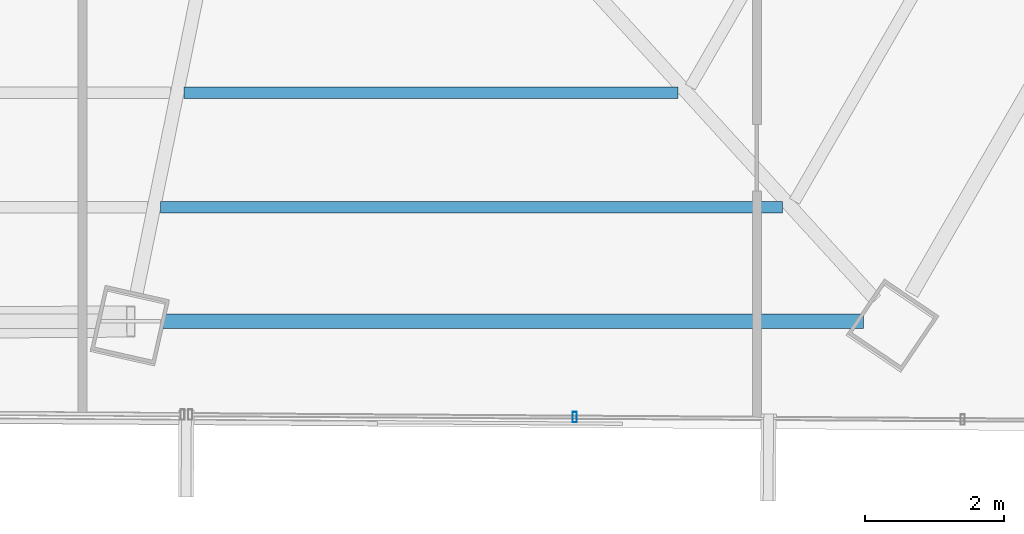
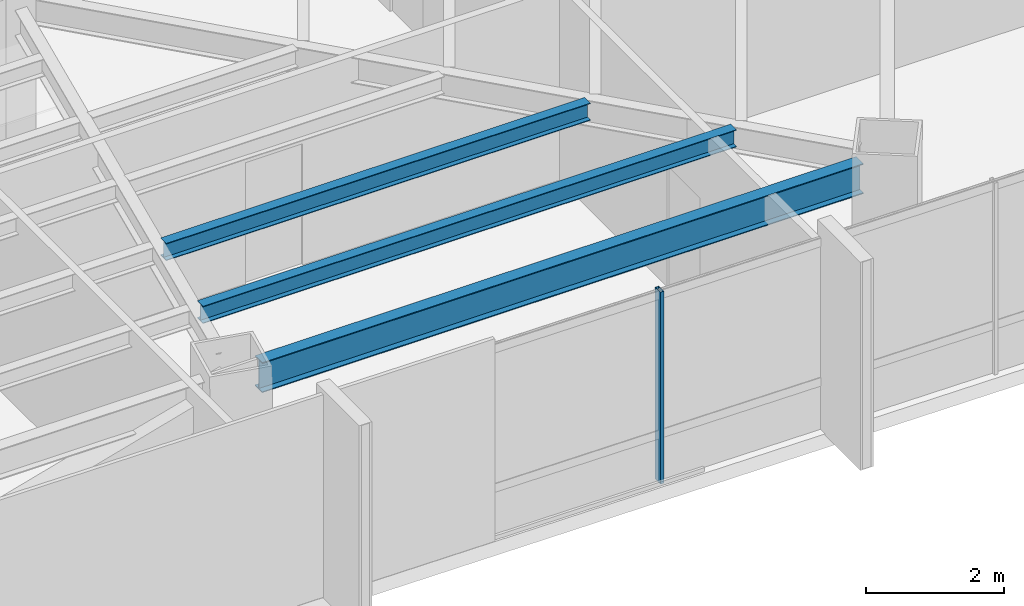
# One storey, part 17 of 41: 3 beams, 1 member, 1 element without a shape of its own.
"""IFC4 building model written with IfcOpenShell, lengths in metres."""

from ifc_helpers import new_model, si_unit, direction, frame, origin, origin_2d, place, context, subcontext, project, spatial, hollow_rectangle, i_section, extrude, source, transform, mapped, material, material_profile, profile_set, type_object, type_shapes, element, aggregate, save


model = new_model("IFC4")

# Units and contexts
model_context = context("Model", 3, precision=1e-05, world=origin(), true_north=direction((0.0, 1.0)))
body_context = subcontext(model_context, "Body", "Model", "MODEL_VIEW")
ifc_project = project(units=[si_unit("LENGTHUNIT", "METRE"), si_unit("AREAUNIT", "SQUARE_METRE"), si_unit("VOLUMEUNIT", "CUBIC_METRE"), si_unit("PLANEANGLEUNIT", "RADIAN"), si_unit("MASSUNIT", "GRAM", prefix="KILO")], contexts=[model_context])

# Site, building, storey
site_placement = place(None, origin())
site = spatial("IfcSite", under=ifc_project, at=site_placement, CompositionType="ELEMENT")
building_placement = place(site_placement, origin())
building = spatial("IfcBuilding", under=site, at=building_placement, Name="Caelisora Broadcast Tower", CompositionType="ELEMENT")
storey_placement = place(building_placement, frame((0.0, 0.0, 162.14990234375)))
storey = spatial("IfcBuildingStorey", under=building, at=storey_placement, Name="L42", CompositionType="ELEMENT", Elevation=162.14990234375)

# Beams
ifc_material_1 = material(Name="Steel Grade 350 (AS/NZS 3679.1)", Category="steel")
ifc_material_profile_1 = material_profile(ifc_material_1, i_section(OverallWidth=0.208984375, OverallDepth=0.532958984375, WebThickness=0.01025390625, FlangeThickness=0.015625, at=origin_2d()), Name="Steel Grade 350 (AS/NZS 3679.1)")
ifc_profile_set_1 = profile_set([ifc_material_profile_1], Name="Steel Grade 350 (AS/NZS 3679.1)")
beam_type_1 = type_object("IfcBeamType", Name="PG05", PredefinedType="BEAM", material=ifc_profile_set_1)
shared_shape_1 = source(origin(), body_context, "Body", "SweptSolid", [
    extrude(i_section(OverallWidth=0.208984375, OverallDepth=0.532958984375, WebThickness=0.01025390625, FlangeThickness=0.015625, at=origin_2d()), origin(), (0.0, 0.0, 1.0), 10.07568359375),
])
type_shapes(beam_type_1, [shared_shape_1])
beam_1_placement = place(storey_placement, frame((43.9580078125, 7.537353515625, 3.133544921875), z_axis=(1.0, 0.0, 0.0), x_axis=(0.0, 1.0, 0.0)))
element("IfcBeam", 1, at=beam_1_placement, inside=storey, type_object=beam_type_1, Name="L42 beam PG05", PredefinedType="BEAM", context=body_context, shape_type="MappedRepresentation", body=[
    mapped(shared_shape_1, transform((0.0, 0.0, 0.0), scale=1.0)),
])
ifc_material_profile_2 = material_profile(ifc_material_1, i_section(OverallWidth=0.166015625, OverallDepth=0.30712890625, WebThickness=0.006591796875, FlangeThickness=0.01171875, at=origin_2d()), Name="Steel Grade 350 (AS/NZS 3679.1)")
ifc_profile_set_2 = profile_set([ifc_material_profile_2], Name="Steel Grade 350 (AS/NZS 3679.1)")
beam_type_2 = type_object("IfcBeamType", Name="SB03", PredefinedType="JOIST", material=ifc_profile_set_2)
shared_shape_2 = source(origin(), body_context, "Body", "SweptSolid", [
    extrude(i_section(OverallWidth=0.166015625, OverallDepth=0.30712890625, WebThickness=0.006591796875, FlangeThickness=0.01171875, at=origin_2d()), origin(), (0.0, 0.0, 1.0), 7.109619140625),
])
beam_2_placement = place(storey_placement, frame((44.259765625, 10.824951171875, 3.24658203125), z_axis=(1.0, 0.0, 0.0), x_axis=(0.0, 1.0, 0.0)))
element("IfcBeam", 2, at=beam_2_placement, inside=storey, type_object=beam_type_2, Name="L42 beam SB03", PredefinedType="JOIST", context=body_context, shape_type="MappedRepresentation", body=[
    mapped(shared_shape_2, transform((0.0, 0.0, 0.0), scale=1.0)),
])
shared_shape_3 = source(origin(), body_context, "Body", "SweptSolid", [
    extrude(i_section(OverallWidth=0.166015625, OverallDepth=0.30712890625, WebThickness=0.006591796875, FlangeThickness=0.01171875, at=origin_2d()), origin(), (0.0, 0.0, 1.0), 8.9423828125),
])
type_shapes(beam_type_2, [shared_shape_2, shared_shape_3])
beam_3_placement = place(storey_placement, frame((43.926025390625, 9.18115234375, 3.24658203125), z_axis=(1.0, 0.0, 0.0), x_axis=(0.0, 1.0, 0.0)))
element("IfcBeam", 3, at=beam_3_placement, inside=storey, type_object=beam_type_2, Name="L42 beam SB03", PredefinedType="JOIST", context=body_context, shape_type="MappedRepresentation", body=[
    mapped(shared_shape_3, transform((0.0, 0.0, 0.0), scale=1.0)),
])

# Curtain wall, member
ifc_material_2 = material(Name="Unitised Aluminium and Low-E Glass Curtain Wall", Category="glass")
curtain_wall_type = type_object("IfcCurtainWallType", Name="CW-Z3", PredefinedType="NOTDEFINED", material=ifc_material_2)
curtain_wall_placement = place(storey_placement, origin())
curtain_wall = element("IfcCurtainWall", 4, at=curtain_wall_placement, inside=storey, type_object=curtain_wall_type, Name="L42 curtain wall CW-Z3", PredefinedType="NOTDEFINED")
ifc_material_3 = material(Name="Aluminium 6063-T6 Anodised Terracotta Bronze", Category="aluminium")
ifc_material_profile_3 = material_profile(ifc_material_3, hollow_rectangle(XDim=0.06005859375, YDim=0.14990234375, WallThickness=0.00341796875, at=origin_2d()), Name="Aluminium 6063-T6 Anodised Terracotta Bronze")
ifc_profile_set_3 = profile_set([ifc_material_profile_3], Name="Aluminium 6063-T6 Anodised Terracotta Bronze")
member_type = type_object("IfcMemberType", Name="CWM-03", PredefinedType="MULLION", material=ifc_profile_set_3)
shared_shape_4 = source(origin(), body_context, "Body", "SweptSolid", [
    extrude(hollow_rectangle(XDim=0.06005859375, YDim=0.14990234375, WallThickness=0.00341796875, at=origin_2d()), origin(), (0.0, 0.0, 1.0), 3.400146484375),
])
type_shapes(member_type, [shared_shape_4])
member_placement = place(storey_placement, frame((49.8828125, 6.160888671875, 0.0), z_axis=(0.0, 0.0, 1.0), x_axis=(1.0, 0.0, 0.0)))
member = element("IfcMember", 5, at=member_placement, type_object=member_type, Name="L42-CW-B05 mullion #2", PredefinedType="MULLION", context=body_context, shape_type="MappedRepresentation", body=[
    mapped(shared_shape_4, transform((0.0, 0.0, 0.0), scale=1.0)),
])
aggregate(curtain_wall, [member])

save(model, "model.ifc")
